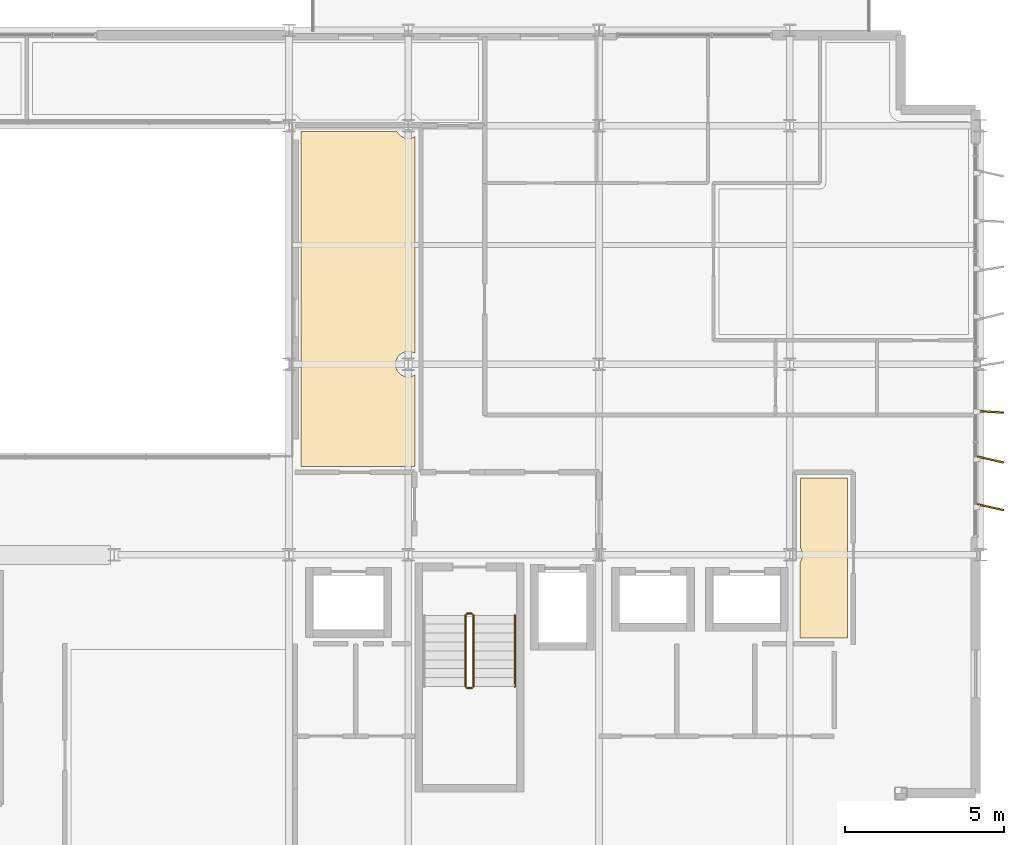
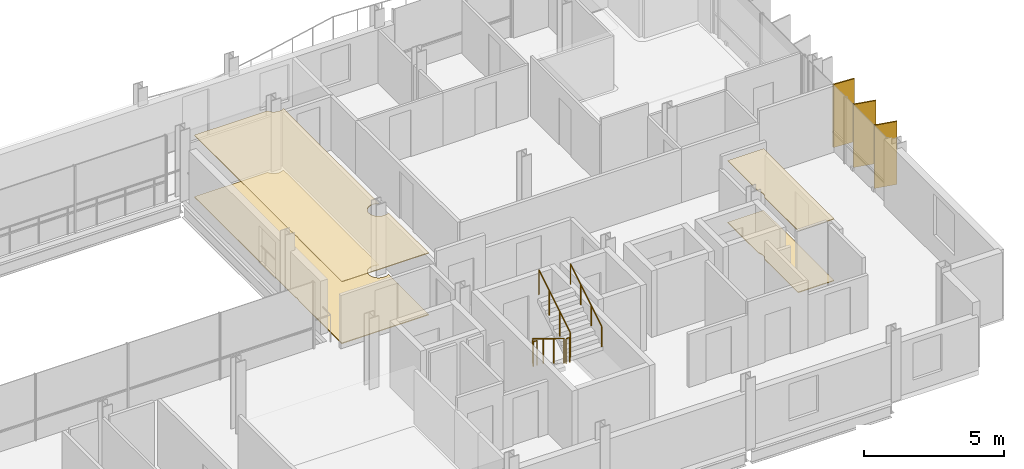
# One storey, part 37 of 38: 5 railings, 4 coverings, 3 shading devices.
"""IFC4 building model written with IfcOpenShell, lengths in metres."""

from ifc_helpers import new_model, si_unit, direction, frame, origin, origin_2d, place, context, subcontext, project, spatial, polyline, rectangle, circle, outline, extrude, material, layer, layer_set, type_object, element, save


model = new_model("IFC4")

# Units and contexts
model_context = context("Model", 3, precision=1e-05, world=origin(), true_north=direction((0.0, 1.0)))
body_context = subcontext(model_context, "Body", "Model", "MODEL_VIEW")
ifc_project = project(units=[si_unit("LENGTHUNIT", "METRE"), si_unit("AREAUNIT", "SQUARE_METRE"), si_unit("VOLUMEUNIT", "CUBIC_METRE"), si_unit("PLANEANGLEUNIT", "RADIAN"), si_unit("MASSUNIT", "GRAM", prefix="KILO")], contexts=[model_context])

# Site, building, storey
site_placement = place(None, origin())
site = spatial("IfcSite", under=ifc_project, at=site_placement, CompositionType="ELEMENT")
building_placement = place(site_placement, origin())
building = spatial("IfcBuilding", under=site, at=building_placement, Name="Brevholm Reach", CompositionType="ELEMENT")
storey_placement = place(building_placement, frame((0.0, 0.0, 186.300048828125)))
storey = spatial("IfcBuildingStorey", under=building, at=storey_placement, Name="L56", CompositionType="ELEMENT", Elevation=186.300048828125)

# Coverings
ifc_material_1 = material(Name="Moisture-Resistant Skimmed Gypsum Plasterboard Ceiling", Category="gypsum")
ifc_layer_1 = layer(ifc_material_1, 0.030029296875)
ifc_layer_set_1 = layer_set([ifc_layer_1], Name="Moisture-Resistant Skimmed Gypsum Plasterboard Ceiling")
covering_type_1 = type_object("IfcCoveringType", Name="COV-CLG-GYP", PredefinedType="CEILING", material=ifc_layer_set_1)
covering_1_placement = place(storey_placement, frame((0.0, 0.0, 2.68994140625)))
element("IfcCovering", 1, at=covering_1_placement, inside=storey, type_object=covering_type_1, Name="L56 Suspended Ceiling L56-28", PredefinedType="CEILING", context=body_context, shape_type="SweptSolid", body=[
    extrude(outline(polyline([(54.330078125, 9.7626953125), (54.33056640625, 9.764892578125), (54.33251953125, 9.777587890625), (54.33251953125, 9.77783203125), (54.352783203125, 9.811279296875), (54.36962890625, 9.846923828125), (54.3828125, 9.8837890625), (54.392333984375, 9.922119140625), (54.398193359375, 9.960693359375), (54.39990234375, 10.0), (54.398193359375, 10.039306640625), (54.392333984375, 10.077880859375), (54.3828125, 10.1162109375), (54.36962890625, 10.153076171875), (54.352783203125, 10.188720703125), (54.333984375, 10.219970703125), (54.333984375, 12.419921875), (55.81591796875, 12.419921875), (55.81591796875, 7.3798828125), (55.437255859375, 7.3798828125), (55.43505859375, 7.380615234375), (55.41748046875, 7.383056640625), (55.39990234375, 7.384033203125), (54.330078125, 7.384033203125), (54.330078125, 9.7626953125)])), origin(), (0.0, 0.0, 1.0), 0.030029296875),
])
covering_2_placement = place(storey_placement, frame((0.0, 0.0, 2.68994140625)))
element("IfcCovering", 2, at=covering_2_placement, inside=storey, type_object=covering_type_1, Name="L56 Suspended Ceiling L56-57", PredefinedType="CEILING", context=body_context, shape_type="SweptSolid", body=[
    extrude(outline(polyline([(38.6298828125, 15.876220703125), (38.6328125, 15.8837890625), (38.642333984375, 15.922119140625), (38.648193359375, 15.960693359375), (38.64990234375, 16.0), (38.648193359375, 16.039306640625), (38.642333984375, 16.077880859375), (38.6328125, 16.1162109375), (38.6298828125, 16.123779296875), (38.6298828125, 23.320068359375), (41.643310546875, 23.320068359375), (41.647216796875, 23.311279296875), (41.66748046875, 23.27783203125), (41.69091796875, 23.24609375), (41.71728515625, 23.21728515625), (41.74609375, 23.19091796875), (41.77783203125, 23.16748046875), (41.811279296875, 23.147216796875), (41.846923828125, 23.13037109375), (41.8837890625, 23.1171875), (41.922119140625, 23.107666015625), (41.960693359375, 23.101806640625), (42.0, 23.10009765625), (42.039306640625, 23.101806640625), (42.077880859375, 23.107666015625), (42.1162109375, 23.1171875), (42.153076171875, 23.13037109375), (42.188720703125, 23.147216796875), (42.216064453125, 23.163818359375), (42.216064453125, 16.336181640625), (42.188720703125, 16.352783203125), (42.153076171875, 16.36962890625), (42.1162109375, 16.3828125), (42.077880859375, 16.392333984375), (42.039306640625, 16.398193359375), (42.0, 16.39990234375), (41.960693359375, 16.398193359375), (41.922119140625, 16.392333984375), (41.8837890625, 16.3828125), (41.846923828125, 16.36962890625), (41.811279296875, 16.352783203125), (41.77783203125, 16.33251953125), (41.74609375, 16.30908203125), (41.71728515625, 16.28271484375), (41.69091796875, 16.25390625), (41.66748046875, 16.22216796875), (41.647216796875, 16.188720703125), (41.63037109375, 16.153076171875), (41.6171875, 16.1162109375), (41.607666015625, 16.077880859375), (41.601806640625, 16.039306640625), (41.60009765625, 16.0), (41.601806640625, 15.960693359375), (41.607666015625, 15.922119140625), (41.6171875, 15.8837890625), (41.63037109375, 15.846923828125), (41.647216796875, 15.811279296875), (41.66748046875, 15.77783203125), (41.69091796875, 15.74609375), (41.71728515625, 15.71728515625), (41.74609375, 15.69091796875), (41.77783203125, 15.66748046875), (41.811279296875, 15.647216796875), (41.846923828125, 15.63037109375), (41.8837890625, 15.6171875), (41.922119140625, 15.607666015625), (41.960693359375, 15.601806640625), (42.0, 15.60009765625), (42.039306640625, 15.601806640625), (42.077880859375, 15.607666015625), (42.1162109375, 15.6171875), (42.153076171875, 15.63037109375), (42.188720703125, 15.647216796875), (42.216064453125, 15.663818359375), (42.216064453125, 12.783935546875), (38.6298828125, 12.783935546875), (38.6298828125, 15.876220703125)])), origin(), (0.0, 0.0, 1.0), 0.030029296875),
])
ifc_material_2 = material(Name="Honed Portland-Aggregate Resin Terrazzo Flooring", Category="concrete")
ifc_layer_2 = layer(ifc_material_2, 0.031982421875)
ifc_layer_set_2 = layer_set([ifc_layer_2], Name="Honed Portland-Aggregate Resin Terrazzo Flooring")
covering_type_2 = type_object("IfcCoveringType", Name="COV-FLR-TRZ", PredefinedType="FLOORING", material=ifc_layer_set_2)
covering_3_placement = place(storey_placement, origin())
element("IfcCovering", 3, at=covering_3_placement, inside=storey, type_object=covering_type_2, Name="L56 Floor Finish L56-28", PredefinedType="FLOORING", context=body_context, shape_type="SweptSolid", body=[
    extrude(outline(polyline([(54.330078125, 9.7626953125), (54.33056640625, 9.764892578125), (54.33251953125, 9.777587890625), (54.33251953125, 9.77783203125), (54.352783203125, 9.811279296875), (54.36962890625, 9.846923828125), (54.3828125, 9.8837890625), (54.392333984375, 9.922119140625), (54.398193359375, 9.960693359375), (54.39990234375, 10.0), (54.398193359375, 10.039306640625), (54.392333984375, 10.077880859375), (54.3828125, 10.1162109375), (54.36962890625, 10.153076171875), (54.352783203125, 10.188720703125), (54.333984375, 10.219970703125), (54.333984375, 12.419921875), (55.81591796875, 12.419921875), (55.81591796875, 7.3798828125), (55.437255859375, 7.3798828125), (55.43505859375, 7.380615234375), (55.41748046875, 7.383056640625), (55.39990234375, 7.384033203125), (54.330078125, 7.384033203125), (54.330078125, 9.7626953125)])), origin(), (0.0, 0.0, 1.0), 0.031982421875),
])
covering_4_placement = place(storey_placement, origin())
element("IfcCovering", 4, at=covering_4_placement, inside=storey, type_object=covering_type_2, Name="L56 Floor Finish L56-57", PredefinedType="FLOORING", context=body_context, shape_type="SweptSolid", body=[
    extrude(outline(polyline([(38.6298828125, 15.876220703125), (38.6328125, 15.8837890625), (38.642333984375, 15.922119140625), (38.648193359375, 15.960693359375), (38.64990234375, 16.0), (38.648193359375, 16.039306640625), (38.642333984375, 16.077880859375), (38.6328125, 16.1162109375), (38.6298828125, 16.123779296875), (38.6298828125, 23.320068359375), (41.643310546875, 23.320068359375), (41.647216796875, 23.311279296875), (41.66748046875, 23.27783203125), (41.69091796875, 23.24609375), (41.71728515625, 23.21728515625), (41.74609375, 23.19091796875), (41.77783203125, 23.16748046875), (41.811279296875, 23.147216796875), (41.846923828125, 23.13037109375), (41.8837890625, 23.1171875), (41.922119140625, 23.107666015625), (41.960693359375, 23.101806640625), (42.0, 23.10009765625), (42.039306640625, 23.101806640625), (42.077880859375, 23.107666015625), (42.1162109375, 23.1171875), (42.153076171875, 23.13037109375), (42.188720703125, 23.147216796875), (42.216064453125, 23.163818359375), (42.216064453125, 16.336181640625), (42.188720703125, 16.352783203125), (42.153076171875, 16.36962890625), (42.1162109375, 16.3828125), (42.077880859375, 16.392333984375), (42.039306640625, 16.398193359375), (42.0, 16.39990234375), (41.960693359375, 16.398193359375), (41.922119140625, 16.392333984375), (41.8837890625, 16.3828125), (41.846923828125, 16.36962890625), (41.811279296875, 16.352783203125), (41.77783203125, 16.33251953125), (41.74609375, 16.30908203125), (41.71728515625, 16.28271484375), (41.69091796875, 16.25390625), (41.66748046875, 16.22216796875), (41.647216796875, 16.188720703125), (41.63037109375, 16.153076171875), (41.6171875, 16.1162109375), (41.607666015625, 16.077880859375), (41.601806640625, 16.039306640625), (41.60009765625, 16.0), (41.601806640625, 15.960693359375), (41.607666015625, 15.922119140625), (41.6171875, 15.8837890625), (41.63037109375, 15.846923828125), (41.647216796875, 15.811279296875), (41.66748046875, 15.77783203125), (41.69091796875, 15.74609375), (41.71728515625, 15.71728515625), (41.74609375, 15.69091796875), (41.77783203125, 15.66748046875), (41.811279296875, 15.647216796875), (41.846923828125, 15.63037109375), (41.8837890625, 15.6171875), (41.922119140625, 15.607666015625), (41.960693359375, 15.601806640625), (42.0, 15.60009765625), (42.039306640625, 15.601806640625), (42.077880859375, 15.607666015625), (42.1162109375, 15.6171875), (42.153076171875, 15.63037109375), (42.188720703125, 15.647216796875), (42.216064453125, 15.663818359375), (42.216064453125, 12.783935546875), (38.6298828125, 12.783935546875), (38.6298828125, 15.876220703125)])), origin(), (0.0, 0.0, 1.0), 0.031982421875),
])

# Railings
ifc_material_3 = material(Name="Brushed Stainless Steel EN 1.4401 Continuous Handrail", Category="steel")
railing_type_1 = type_object("IfcRailingType", Name="RAL-HND-950", PredefinedType="HANDRAIL", material=ifc_material_3)
railing_1_placement = place(storey_placement, frame((45.35009765625, 5.860107421875, 1.72216796875)))
element("IfcRailing", 5, at=railing_1_placement, inside=storey, type_object=railing_type_1, Name="L56 ST-2 stair handrail 2", PredefinedType="HANDRAIL", context=body_context, shape_type="SweptSolid", body=[
    extrude(circle(Radius=0.02392578125, at=origin_2d()), frame((0.0, 0.0, 0.8857421875), z_axis=(0.0, 0.85178898068, 0.523885037382), x_axis=(-1.0, 0.0, 0.0)), (0.0, 0.0, 1.0), 2.629638671875),
    extrude(circle(Radius=0.02099609375, at=origin_2d()), origin(), (0.0, 0.0, 1.0), 0.86181640625),
    extrude(circle(Radius=0.02099609375, at=origin_2d()), frame((0.0, 0.74658203125, 0.459228515625)), (0.0, 0.0, 1.0), 0.86181640625),
    extrude(circle(Radius=0.02099609375, at=origin_2d()), frame((0.0, 1.493408203125, 0.91845703125)), (0.0, 0.0, 1.0), 0.86181640625),
    extrude(circle(Radius=0.02099609375, at=origin_2d()), frame((0.0, 2.239990234375, 1.377685546875)), (0.0, 0.0, 1.0), 0.86181640625),
])
ifc_material_4 = material(Name="Painted Tubular Galvanised Steel S275JR Stair Guard", Category="steel")
railing_type_2 = type_object("IfcRailingType", Name="RAL-STG-1120", PredefinedType="BALUSTRADE", material=ifc_material_4)
railing_2_placement = place(storey_placement, frame((43.800048828125, 8.10009765625, 0.172119140625)))
element("IfcRailing", 6, at=railing_2_placement, inside=storey, type_object=railing_type_2, Name="L56 ST-2 stair guard 1", PredefinedType="BALUSTRADE", context=body_context, shape_type="SweptSolid", body=[
    extrude(circle(Radius=0.02392578125, at=origin_2d()), frame((0.0, 0.0, 1.076171875), z_axis=(0.0, -0.851747552033, 0.523952390591), x_axis=(1.0, 0.0, 0.0)), (0.0, 0.0, 1.0), 2.6298828125),
    extrude(circle(Radius=0.02099609375, at=origin_2d()), origin(), (0.0, 0.0, 1.0), 1.052001953125),
    extrude(circle(Radius=0.02099609375, at=origin_2d()), frame((0.0, -0.74658203125, 0.459228515625)), (0.0, 0.0, 1.0), 1.052001953125),
    extrude(circle(Radius=0.02099609375, at=origin_2d()), frame((0.0, -1.493408203125, 0.918701171875)), (0.0, 0.0, 1.0), 1.052001953125),
    extrude(circle(Radius=0.02099609375, at=origin_2d()), frame((0.0, -2.239990234375, 1.3779296875)), (0.0, 0.0, 1.0), 1.052001953125),
])
railing_3_placement = place(storey_placement, frame((43.85009765625, 5.81005859375, 1.550048828125)))
element("IfcRailing", 7, at=railing_3_placement, inside=storey, type_object=railing_type_2, Name="L56 ST-2 stair guard 2", PredefinedType="BALUSTRADE", context=body_context, shape_type="SweptSolid", body=[
    extrude(circle(Radius=0.02392578125, at=origin_2d()), frame((0.0, 0.0, 1.076171875), z_axis=(1.0, 0.0, 0.0), x_axis=(0.0, 1.0, 0.0)), (0.0, 0.0, 1.0), 0.14990234375),
    extrude(circle(Radius=0.02099609375, at=origin_2d()), origin(), (0.0, 0.0, 1.0), 1.052001953125),
    extrude(circle(Radius=0.02099609375, at=origin_2d()), frame((0.14990234375, 0.0, 0.0)), (0.0, 0.0, 1.0), 1.052001953125),
])
railing_4_placement = place(storey_placement, frame((44.050048828125, 5.860107421875, 1.72216796875)))
element("IfcRailing", 8, at=railing_4_placement, inside=storey, type_object=railing_type_2, Name="L56 ST-2 stair guard 3", PredefinedType="BALUSTRADE", context=body_context, shape_type="SweptSolid", body=[
    extrude(circle(Radius=0.02392578125, at=origin_2d()), frame((0.0, 0.0, 1.076171875), z_axis=(0.0, 0.85178898068, 0.523885037382), x_axis=(-1.0, 0.0, 0.0)), (0.0, 0.0, 1.0), 2.629638671875),
    extrude(circle(Radius=0.02099609375, at=origin_2d()), origin(), (0.0, 0.0, 1.0), 1.052001953125),
    extrude(circle(Radius=0.02099609375, at=origin_2d()), frame((0.0, 0.74658203125, 0.459228515625)), (0.0, 0.0, 1.0), 1.052001953125),
    extrude(circle(Radius=0.02099609375, at=origin_2d()), frame((0.0, 1.493408203125, 0.91845703125)), (0.0, 0.0, 1.0), 1.052001953125),
    extrude(circle(Radius=0.02099609375, at=origin_2d()), frame((0.0, 2.239990234375, 1.377685546875)), (0.0, 0.0, 1.0), 1.052001953125),
])
railing_5_placement = place(storey_placement, frame((43.85009765625, 8.14990234375, 0.0)))
element("IfcRailing", 9, at=railing_5_placement, inside=storey, type_object=railing_type_2, Name="L56 ST-2 stair guard 4", PredefinedType="BALUSTRADE", context=body_context, shape_type="SweptSolid", body=[
    extrude(circle(Radius=0.02392578125, at=origin_2d()), frame((0.0, 0.0, 1.076171875), z_axis=(1.0, 0.0, 0.0), x_axis=(0.0, 1.0, 0.0)), (0.0, 0.0, 1.0), 0.14990234375),
    extrude(circle(Radius=0.02099609375, at=origin_2d()), origin(), (0.0, 0.0, 1.0), 1.052001953125),
    extrude(circle(Radius=0.02099609375, at=origin_2d()), frame((0.14990234375, 0.0, 0.0)), (0.0, 0.0, 1.0), 1.052001953125),
])

# Shading devices
ifc_material_5 = material(Name="Perforated Champagne-Bronze Anodised Aluminium", Category="aluminium")
ifc_layer_3 = layer(ifc_material_5, 0.054931640625)
ifc_layer_set_3 = layer_set([ifc_layer_3], Name="Perforated Champagne-Bronze Anodised Aluminium")
shading_device_type = type_object("IfcShadingDeviceType", Name="SHD-FIN-850", PredefinedType="USERDEFINED", material=ifc_layer_set_3)
for number, where, z_axis, x_axis, name in (
    (10, (60.31494140625, 11.5, 0.070068359375), (0.0, 0.0, 1.0), (0.976371499317, -0.216098809163, 0.0), "L56 Perforated Solar Screen Fin 1"),
    (11, (60.31494140625, 13.0, 0.070068359375), (0.0, 0.0, 1.0), (0.975373126176, -0.220561249392, 0.0), "L56 Perforated Solar Screen Fin 2"),
    (12, (60.31494140625, 14.5, 0.070068359375), (0.0, 0.0, 1.0), (0.998230499785, -0.059463175989, 0.0), "L56 Perforated Solar Screen Fin 3"),
):
    element("IfcShadingDevice", number, at=place(storey_placement, frame(where, z_axis=z_axis, x_axis=x_axis)), inside=storey, type_object=shading_device_type, Name=name, ObjectType="SCREEN", PredefinedType="USERDEFINED", context=body_context, shape_type="SweptSolid", body=[
        extrude(rectangle(XDim=0.85009765625, YDim=0.054931640625, at=origin_2d()), origin(), (0.0, 0.0, 1.0), 2.75),
    ])

save(model, "model.ifc")
